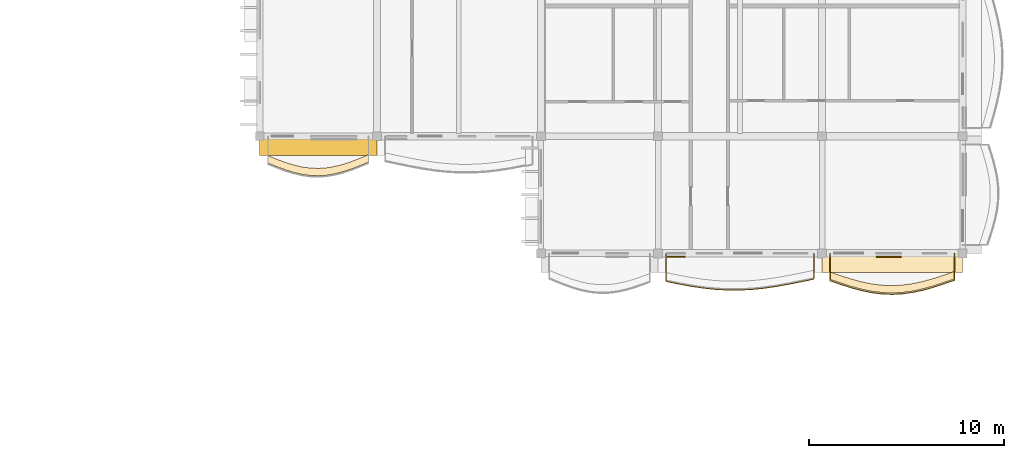
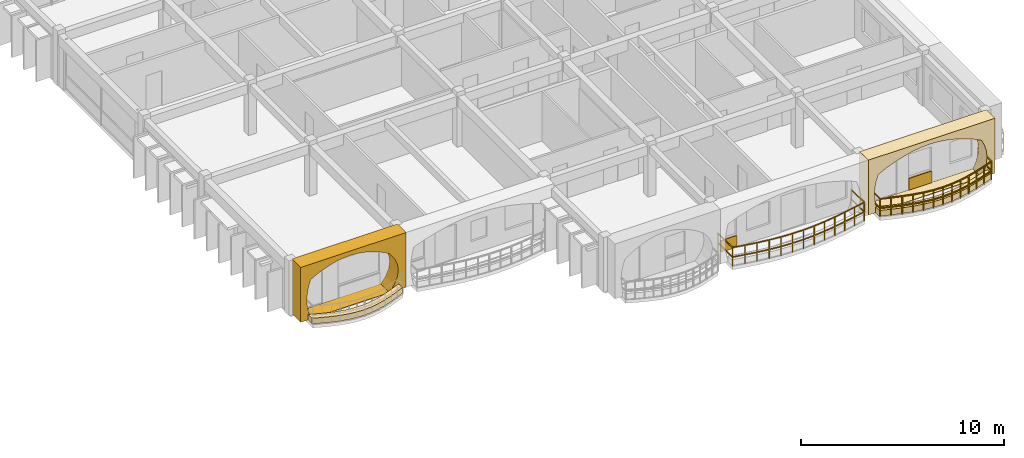
# One storey, part 66 of 76: 6 coverings, 2 railings.
"""IFC4 building model written with IfcOpenShell, lengths in metres."""

from ifc_helpers import new_model, si_unit, direction, frame, origin, origin_2d, place, context, subcontext, project, spatial, polyline, rectangle, outline, extrude, material, layer, layer_set, type_object, element, save


model = new_model("IFC4")

# Units and contexts
model_context = context("Model", 3, precision=1e-05, world=origin(), true_north=direction((0.0, 1.0)))
body_context = subcontext(model_context, "Body", "Model", "MODEL_VIEW")
ifc_project = project(units=[si_unit("LENGTHUNIT", "METRE"), si_unit("AREAUNIT", "SQUARE_METRE"), si_unit("VOLUMEUNIT", "CUBIC_METRE"), si_unit("PLANEANGLEUNIT", "RADIAN"), si_unit("MASSUNIT", "GRAM", prefix="KILO"), si_unit("THERMODYNAMICTEMPERATUREUNIT", "KELVIN")], contexts=[model_context])

# Site, building, storey
site_placement = place(None, origin())
site = spatial("IfcSite", under=ifc_project, at=site_placement, CompositionType="ELEMENT")
building_placement = place(site_placement, origin())
building = spatial("IfcBuilding", under=site, at=building_placement, Name="Thalorik Housing Commons", CompositionType="ELEMENT")
storey_placement = place(building_placement, frame((0.0, 0.0, 18.0)))
storey = spatial("IfcBuildingStorey", under=building, at=storey_placement, Name="L05", CompositionType="ELEMENT", Elevation=18.0)

# Coverings
ifc_material_1 = material(Name="Cobalt blue glazed ceramic facade tile panel", Category="masonry")
ifc_layer_1 = layer(ifc_material_1, 0.06005859375, Name="Cobalt blue glazed ceramic facade tile panel", Category="masonry")
ifc_layer_set_1 = layer_set([ifc_layer_1], Name="Cobalt blue glazed ceramic facade tile panel")
covering_type_1 = type_object("IfcCoveringType", Name="ARC-CLD-BLU-60", PredefinedType="CLADDING", material=ifc_layer_set_1)
covering_1_placement = place(storey_placement, frame((170.215087890625, 37.034912109375, 0.0498046875), z_axis=(0.0, 0.0, 1.0), x_axis=(1.0, 0.0, 0.0)))
element("IfcCovering", 1, at=covering_1_placement, inside=storey, type_object=covering_type_1, Name="L05 De Stijl Recessed Window Spandrel 4892", PredefinedType="CLADDING", context=body_context, shape_type="SweptSolid", body=[
    extrude(rectangle(XDim=1.300048828125, YDim=0.06005859375, at=origin_2d()), origin(), (0.0, 0.0, 1.0), 0.699951171875),
])
ifc_material_2 = material(Name="Precast concrete C40/50", Category="concrete")
ifc_layer_2 = layer(ifc_material_2, 0.85009765625, Name="Precast concrete C40/50", Category="concrete")
ifc_layer_set_2 = layer_set([ifc_layer_2], Name="Precast concrete C40/50")
covering_type_2 = type_object("IfcCoveringType", Name="ARC-CLD-CUSH-850", PredefinedType="CLADDING", material=ifc_layer_set_2)
covering_2_placement = place(storey_placement, frame((141.0, 42.64501953125, 0.0), z_axis=(0.0, 0.0, 1.0), x_axis=(1.0, 0.0, 0.0)))
element("IfcCovering", 2, at=covering_2_placement, inside=storey, type_object=covering_type_2, Name="L05 White Precast Curved Cushion Bay Frame 4876", PredefinedType="CLADDING", context=body_context, shape_type="SweptSolid", body=[
    extrude(outline(polyline([(-3.0, 0.0), (3.0, 0.0), (3.0, 3.300048828125), (-3.0, 3.300048828125), (-3.0, 0.0)]), holes=[polyline([(2.0400390625, 0.02490234375), (2.3232421875, 0.415771484375), (2.493408203125, 0.806640625), (2.550048828125, 1.197509765625), (2.493408203125, 1.58837890625), (2.3232421875, 1.979248046875), (2.0400390625, 2.3701171875), (1.66748046875, 2.573974609375), (1.294921875, 2.734130859375), (0.922607421875, 2.864013671875), (0.550048828125, 2.960205078125), (0.177490234375, 3.02001953125), (-0.195068359375, 3.0400390625), (-0.5673828125, 3.02001953125), (-0.93994140625, 2.960205078125), (-1.3125, 2.864013671875), (-1.68505859375, 2.734130859375), (-2.0576171875, 2.573974609375), (-2.429931640625, 2.3701171875), (-2.55029296875, 1.979248046875), (-2.62255859375, 1.58837890625), (-2.646484375, 1.197509765625), (-2.62255859375, 0.806640625), (-2.55029296875, 0.415771484375), (-2.429931640625, 0.02490234375), (2.0400390625, 0.02490234375)])]), frame((0.0, 0.425048828125, 0.0), z_axis=(0.0, -1.0, 0.0), x_axis=(1.0, 0.0, 0.0)), (0.0, 0.0, 1.0), 0.85009765625),
])
covering_3_placement = place(storey_placement, frame((170.39990234375, 36.64501953125, 0.0), z_axis=(0.0, 0.0, 1.0), x_axis=(1.0, 0.0, 0.0)))
element("IfcCovering", 3, at=covering_3_placement, inside=storey, type_object=covering_type_2, Name="L05 White Precast Curved Cushion Bay Frame 4891", PredefinedType="CLADDING", context=body_context, shape_type="SweptSolid", body=[
    extrude(outline(polyline([(-3.60009765625, 0.0), (3.60009765625, 0.0), (3.60009765625, 3.300048828125), (-3.60009765625, 3.300048828125), (-3.60009765625, 0.0)]), holes=[polyline([(2.840087890625, 0.02490234375), (3.01220703125, 0.394287109375), (3.115478515625, 0.76318359375), (3.14990234375, 1.132568359375), (3.115478515625, 1.501708984375), (3.01220703125, 1.870849609375), (2.840087890625, 2.239990234375), (2.350830078125, 2.4833984375), (1.86181640625, 2.6748046875), (1.37255859375, 2.82958984375), (0.88330078125, 2.94482421875), (0.394287109375, 3.01611328125), (-0.094970703125, 3.0400390625), (-0.584228515625, 3.01611328125), (-1.0732421875, 2.94482421875), (-1.5625, 2.82958984375), (-2.0517578125, 2.6748046875), (-2.540771484375, 2.4833984375), (-3.030029296875, 2.239990234375), (-3.150390625, 1.870849609375), (-3.222412109375, 1.501708984375), (-3.24658203125, 1.132568359375), (-3.222412109375, 0.76318359375), (-3.150390625, 0.394287109375), (-3.030029296875, 0.02490234375), (2.840087890625, 0.02490234375)])]), frame((0.0, 0.425048828125, 0.0), z_axis=(0.0, -1.0, 0.0), x_axis=(1.0, 0.0, 0.0)), (0.0, 0.0, 1.0), 0.85009765625),
])
ifc_material_3 = material(Name="Terracotta red mineral fibre-cement panel", Category="masonry")
ifc_layer_3 = layer(ifc_material_3, 0.054931640625, Name="Terracotta red mineral fibre-cement panel", Category="masonry")
ifc_layer_set_3 = layer_set([ifc_layer_3], Name="Terracotta red mineral fibre-cement panel")
covering_type_3 = type_object("IfcCoveringType", Name="ARC-CLD-RED-55", PredefinedType="CLADDING", material=ifc_layer_set_3)
covering_4_placement = place(storey_placement, frame((159.3349609375, 37.03759765625, 0.0498046875), z_axis=(0.0, 0.0, 1.0), x_axis=(1.0, 0.0, 0.0)))
element("IfcCovering", 4, at=covering_4_placement, inside=storey, type_object=covering_type_3, Name="L05 De Stijl Recessed Window Spandrel 4890", PredefinedType="CLADDING", context=body_context, shape_type="SweptSolid", body=[
    extrude(rectangle(XDim=0.89990234375, YDim=0.054931640625, at=origin_2d()), origin(), (0.0, 0.0, 1.0), 0.699951171875),
])
ifc_material_4 = material(Name="Planted vegetated substrate and terracotta trough", Category="masonry")
ifc_layer_4 = layer(ifc_material_4, 0.340087890625, Name="Planted vegetated substrate and terracotta trough", Category="masonry")
ifc_layer_set_4 = layer_set([ifc_layer_4], Name="Planted vegetated substrate and terracotta trough")
covering_type_4 = type_object("IfcCoveringType", Name="ARC-COV-PLANTER", PredefinedType="USERDEFINED", material=ifc_layer_set_4)
covering_5_placement = place(storey_placement, origin())
element("IfcCovering", 5, at=covering_5_placement, inside=storey, type_object=covering_type_4, Name="L05 Balcony Slab-Edge Planted Trough 5682", ObjectType="PLANTER", PredefinedType="USERDEFINED", context=body_context, shape_type="SweptSolid", body=[
    extrude(outline(polyline([(167.219970703125, 35.8642578125), (167.75, 35.680908203125), (168.280029296875, 35.51171875), (168.81005859375, 35.36767578125), (169.340087890625, 35.258544921875), (169.8701171875, 35.19140625), (170.39990234375, 35.1708984375), (170.929931640625, 35.198486328125), (171.4599609375, 35.272216796875), (171.989990234375, 35.387451171875), (172.52001953125, 35.536376953125), (173.050048828125, 35.709228515625), (173.580078125, 35.894775390625), (173.580078125, 36.27490234375), (173.050048828125, 36.08935546875), (172.52001953125, 35.91650390625), (171.989990234375, 35.767578125), (171.4599609375, 35.65234375), (170.929931640625, 35.57861328125), (170.39990234375, 35.551025390625), (169.8701171875, 35.571533203125), (169.340087890625, 35.638427734375), (168.81005859375, 35.74755859375), (168.280029296875, 35.8916015625), (167.75, 36.060791015625), (167.219970703125, 36.244140625), (167.219970703125, 35.8642578125)])), origin(), (0.0, 0.0, 1.0), 0.340087890625),
])
covering_6_placement = place(storey_placement, origin())
element("IfcCovering", 6, at=covering_6_placement, inside=storey, type_object=covering_type_4, Name="L05 Balcony Slab-Edge Planted Trough 5683", ObjectType="PLANTER", PredefinedType="USERDEFINED", context=body_context, shape_type="SweptSolid", body=[
    extrude(outline(polyline([(138.419921875, 41.82373046875), (138.85009765625, 41.64990234375), (139.280029296875, 41.489990234375), (139.7099609375, 41.3544921875), (140.139892578125, 41.252685546875), (140.570068359375, 41.191162109375), (141.0, 41.174072265625), (141.429931640625, 41.20263671875), (141.860107421875, 41.275390625), (142.2900390625, 41.387451171875), (142.719970703125, 41.531982421875), (143.14990234375, 41.699462890625), (143.580078125, 41.87939453125), (143.580078125, 42.25927734375), (143.14990234375, 42.07958984375), (142.719970703125, 41.911865234375), (142.2900390625, 41.767578125), (141.860107421875, 41.6552734375), (141.429931640625, 41.582763671875), (141.0, 41.55419921875), (140.570068359375, 41.5712890625), (140.139892578125, 41.6328125), (139.7099609375, 41.734619140625), (139.280029296875, 41.869873046875), (138.85009765625, 42.02978515625), (138.419921875, 42.20361328125), (138.419921875, 41.82373046875)])), origin(), (0.0, 0.0, 1.0), 0.340087890625),
])

# Railings
ifc_material_5 = material(Name="Steel S355", Category="steel")
railing_type_1 = type_object("IfcRailingType", Name="ARC-RL-BAL-112", PredefinedType="BALUSTRADE", material=ifc_material_5)
railing_1_placement = place(storey_placement, frame((167.219970703125, 37.199951171875, 0.0)))
element("IfcRailing", 7, at=railing_1_placement, inside=storey, type_object=railing_type_1, Name="L05 Cushion Balcony Guardrail 366", PredefinedType="BALUSTRADE", context=body_context, shape_type="SweptSolid", body=[
    extrude(rectangle(XDim=0.050048828125, YDim=0.050048828125, at=origin_2d()), frame((0.0, 0.0, 1.09521484375), z_axis=(0.0, -1.0, 0.0), x_axis=(1.0, 0.0, 0.0)), (0.0, 0.0, 1.0), 1.40576171875),
    extrude(rectangle(XDim=0.050048828125, YDim=0.050048828125, at=origin_2d()), frame((0.0, 0.0, 0.53515625), z_axis=(0.0, -1.0, 0.0), x_axis=(1.0, 0.0, 0.0)), (0.0, 0.0, 1.0), 1.40576171875),
    extrude(rectangle(XDim=0.050048828125, YDim=0.050048828125, at=origin_2d()), frame((0.0, -1.40576171875, 1.09521484375), z_axis=(0.945053333528, -0.326916192298, 0.0), x_axis=(0.326916192298, 0.945053333528, 0.0)), (0.0, 0.0, 1.0), 0.560791015625),
    extrude(rectangle(XDim=0.050048828125, YDim=0.050048828125, at=origin_2d()), frame((0.0, -1.40576171875, 0.53515625), z_axis=(0.945053333528, -0.326916192298, 0.0), x_axis=(0.326916192298, 0.945053333528, 0.0)), (0.0, 0.0, 1.0), 0.560791015625),
    extrude(rectangle(XDim=0.050048828125, YDim=0.050048828125, at=origin_2d()), frame((0.530029296875, -1.589111328125, 1.09521484375), z_axis=(0.952642984579, -0.304091012581, 0.0), x_axis=(0.304091012581, 0.952642984579, 0.0)), (0.0, 0.0, 1.0), 0.556396484375),
    extrude(rectangle(XDim=0.050048828125, YDim=0.050048828125, at=origin_2d()), frame((0.530029296875, -1.589111328125, 0.53515625), z_axis=(0.952642984579, -0.304091012581, 0.0), x_axis=(0.304091012581, 0.952642984579, 0.0)), (0.0, 0.0, 1.0), 0.556396484375),
    extrude(rectangle(XDim=0.050048828125, YDim=0.050048828125, at=origin_2d()), frame((1.06005859375, -1.75830078125, 1.09521484375), z_axis=(0.964999357854, -0.262252243728, 0.0), x_axis=(0.262252243728, 0.964999357854, 0.0)), (0.0, 0.0, 1.0), 0.54931640625),
    extrude(rectangle(XDim=0.050048828125, YDim=0.050048828125, at=origin_2d()), frame((1.06005859375, -1.75830078125, 0.53515625), z_axis=(0.964999357854, -0.262252243728, 0.0), x_axis=(0.262252243728, 0.964999357854, 0.0)), (0.0, 0.0, 1.0), 0.54931640625),
    extrude(rectangle(XDim=0.050048828125, YDim=0.050048828125, at=origin_2d()), frame((1.590087890625, -1.90234375, 1.09521484375), z_axis=(0.979454422365, -0.201665650298, 0.0), x_axis=(0.201665650298, 0.979454422365, 0.0)), (0.0, 0.0, 1.0), 0.541259765625),
    extrude(rectangle(XDim=0.050048828125, YDim=0.050048828125, at=origin_2d()), frame((1.590087890625, -1.90234375, 0.53515625), z_axis=(0.979454422365, -0.201665650298, 0.0), x_axis=(0.201665650298, 0.979454422365, 0.0)), (0.0, 0.0, 1.0), 0.541259765625),
    extrude(rectangle(XDim=0.050048828125, YDim=0.050048828125, at=origin_2d()), frame((2.1201171875, -2.011474609375, 1.09521484375), z_axis=(0.992129530175, -0.125215795149, 0.0), x_axis=(0.125215795149, 0.992129530175, 0.0)), (0.0, 0.0, 1.0), 0.5341796875),
    extrude(rectangle(XDim=0.050048828125, YDim=0.050048828125, at=origin_2d()), frame((2.1201171875, -2.011474609375, 0.53515625), z_axis=(0.992129530175, -0.125215795149, 0.0), x_axis=(0.125215795149, 0.992129530175, 0.0)), (0.0, 0.0, 1.0), 0.5341796875),
    extrude(rectangle(XDim=0.050048828125, YDim=0.050048828125, at=origin_2d()), frame((2.650146484375, -2.078369140625, 1.09521484375), z_axis=(0.999251621382, -0.038680707924, 0.0), x_axis=(0.038680707924, 0.999251621382, 0.0)), (0.0, 0.0, 1.0), 0.5302734375),
    extrude(rectangle(XDim=0.050048828125, YDim=0.050048828125, at=origin_2d()), frame((2.650146484375, -2.078369140625, 0.53515625), z_axis=(0.999251621382, -0.038680707924, 0.0), x_axis=(0.038680707924, 0.999251621382, 0.0)), (0.0, 0.0, 1.0), 0.5302734375),
    extrude(rectangle(XDim=0.050048828125, YDim=0.050048828125, at=origin_2d()), frame((3.179931640625, -2.098876953125, 1.09521484375), z_axis=(0.9986481581, 0.051979383632, 0.0), x_axis=(-0.051979383632, 0.9986481581, 0.0)), (0.0, 0.0, 1.0), 0.53076171875),
    extrude(rectangle(XDim=0.050048828125, YDim=0.050048828125, at=origin_2d()), frame((3.179931640625, -2.098876953125, 0.53515625), z_axis=(0.9986481581, 0.051979383632, 0.0), x_axis=(-0.051979383632, 0.9986481581, 0.0)), (0.0, 0.0, 1.0), 0.53076171875),
    extrude(rectangle(XDim=0.050048828125, YDim=0.050048828125, at=origin_2d()), frame((3.7099609375, -2.0712890625, 1.09521484375), z_axis=(0.990462894788, 0.137779730182, 0.0), x_axis=(-0.137779730182, 0.990462894788, 0.0)), (0.0, 0.0, 1.0), 0.53515625),
    extrude(rectangle(XDim=0.050048828125, YDim=0.050048828125, at=origin_2d()), frame((3.7099609375, -2.0712890625, 0.53515625), z_axis=(0.990462894788, 0.137779730182, 0.0), x_axis=(-0.137779730182, 0.990462894788, 0.0)), (0.0, 0.0, 1.0), 0.53515625),
    extrude(rectangle(XDim=0.050048828125, YDim=0.050048828125, at=origin_2d()), frame((4.239990234375, -1.99755859375, 1.09521484375), z_axis=(0.977265656479, 0.212018481898, 0.0), x_axis=(-0.212018481898, 0.977265656479, 0.0)), (0.0, 0.0, 1.0), 0.54248046875),
    extrude(rectangle(XDim=0.050048828125, YDim=0.050048828125, at=origin_2d()), frame((4.239990234375, -1.99755859375, 0.53515625), z_axis=(0.977265656479, 0.212018481898, 0.0), x_axis=(-0.212018481898, 0.977265656479, 0.0)), (0.0, 0.0, 1.0), 0.54248046875),
    extrude(rectangle(XDim=0.050048828125, YDim=0.050048828125, at=origin_2d()), frame((4.77001953125, -1.882568359375, 1.09521484375), z_axis=(0.962719532879, 0.270501573034, 0.0), x_axis=(-0.270501573034, 0.962719532879, 0.0)), (0.0, 0.0, 1.0), 0.550537109375),
    extrude(rectangle(XDim=0.050048828125, YDim=0.050048828125, at=origin_2d()), frame((4.77001953125, -1.882568359375, 0.53515625), z_axis=(0.962719532879, 0.270501573034, 0.0), x_axis=(-0.270501573034, 0.962719532879, 0.0)), (0.0, 0.0, 1.0), 0.550537109375),
    extrude(rectangle(XDim=0.050048828125, YDim=0.050048828125, at=origin_2d()), frame((5.300048828125, -1.733642578125, 1.09521484375), z_axis=(0.950592272068, 0.310442156101, 0.0), x_axis=(-0.310442156101, 0.950592272068, 0.0)), (0.0, 0.0, 1.0), 0.5576171875),
    extrude(rectangle(XDim=0.050048828125, YDim=0.050048828125, at=origin_2d()), frame((5.300048828125, -1.733642578125, 0.53515625), z_axis=(0.950592272068, 0.310442156101, 0.0), x_axis=(-0.310442156101, 0.950592272068, 0.0)), (0.0, 0.0, 1.0), 0.5576171875),
    extrude(rectangle(XDim=0.050048828125, YDim=0.050048828125, at=origin_2d()), frame((5.830078125, -1.560546875, 1.09521484375), z_axis=(0.943973538239, 0.330021149481, 0.0), x_axis=(-0.330021149481, 0.943973538239, 0.0)), (0.0, 0.0, 1.0), 0.5615234375),
    extrude(rectangle(XDim=0.050048828125, YDim=0.050048828125, at=origin_2d()), frame((5.830078125, -1.560546875, 0.53515625), z_axis=(0.943973538239, 0.330021149481, 0.0), x_axis=(-0.330021149481, 0.943973538239, 0.0)), (0.0, 0.0, 1.0), 0.5615234375),
    extrude(rectangle(XDim=0.050048828125, YDim=0.050048828125, at=origin_2d()), frame((6.360107421875, -1.375244140625, 1.09521484375), z_axis=(0.0, 1.0, 0.0), x_axis=(-1.0, 0.0, 0.0)), (0.0, 0.0, 1.0), 1.375244140625),
    extrude(rectangle(XDim=0.050048828125, YDim=0.050048828125, at=origin_2d()), frame((6.360107421875, -1.375244140625, 0.53515625), z_axis=(0.0, 1.0, 0.0), x_axis=(-1.0, 0.0, 0.0)), (0.0, 0.0, 1.0), 1.375244140625),
    extrude(rectangle(XDim=0.0419921875, YDim=0.0419921875, at=origin_2d()), origin(), (0.0, 0.0, 1.0), 1.070068359375),
    extrude(rectangle(XDim=0.0419921875, YDim=0.0419921875, at=origin_2d()), frame((0.0, -1.40576171875, 0.0)), (0.0, 0.0, 1.0), 1.070068359375),
    extrude(rectangle(XDim=0.0419921875, YDim=0.0419921875, at=origin_2d()), frame((0.530029296875, -1.589111328125, 0.0)), (0.0, 0.0, 1.0), 1.070068359375),
    extrude(rectangle(XDim=0.0419921875, YDim=0.0419921875, at=origin_2d()), frame((1.06005859375, -1.75830078125, 0.0)), (0.0, 0.0, 1.0), 1.070068359375),
    extrude(rectangle(XDim=0.0419921875, YDim=0.0419921875, at=origin_2d()), frame((1.590087890625, -1.90234375, 0.0)), (0.0, 0.0, 1.0), 1.070068359375),
    extrude(rectangle(XDim=0.0419921875, YDim=0.0419921875, at=origin_2d()), frame((2.1201171875, -2.011474609375, 0.0)), (0.0, 0.0, 1.0), 1.070068359375),
    extrude(rectangle(XDim=0.0419921875, YDim=0.0419921875, at=origin_2d()), frame((2.650146484375, -2.078369140625, 0.0)), (0.0, 0.0, 1.0), 1.070068359375),
    extrude(rectangle(XDim=0.0419921875, YDim=0.0419921875, at=origin_2d()), frame((3.179931640625, -2.098876953125, 0.0)), (0.0, 0.0, 1.0), 1.070068359375),
    extrude(rectangle(XDim=0.0419921875, YDim=0.0419921875, at=origin_2d()), frame((3.7099609375, -2.0712890625, 0.0)), (0.0, 0.0, 1.0), 1.070068359375),
    extrude(rectangle(XDim=0.0419921875, YDim=0.0419921875, at=origin_2d()), frame((4.239990234375, -1.99755859375, 0.0)), (0.0, 0.0, 1.0), 1.070068359375),
    extrude(rectangle(XDim=0.0419921875, YDim=0.0419921875, at=origin_2d()), frame((4.77001953125, -1.882568359375, 0.0)), (0.0, 0.0, 1.0), 1.070068359375),
    extrude(rectangle(XDim=0.0419921875, YDim=0.0419921875, at=origin_2d()), frame((5.300048828125, -1.733642578125, 0.0)), (0.0, 0.0, 1.0), 1.070068359375),
    extrude(rectangle(XDim=0.0419921875, YDim=0.0419921875, at=origin_2d()), frame((5.830078125, -1.560546875, 0.0)), (0.0, 0.0, 1.0), 1.070068359375),
    extrude(rectangle(XDim=0.0419921875, YDim=0.0419921875, at=origin_2d()), frame((6.360107421875, -1.375244140625, 0.0)), (0.0, 0.0, 1.0), 1.070068359375),
    extrude(rectangle(XDim=0.0419921875, YDim=0.0419921875, at=origin_2d()), frame((6.360107421875, 0.0, 0.0)), (0.0, 0.0, 1.0), 1.070068359375),
])
railing_type_2 = type_object("IfcRailingType", Name="ARC-RL-BAL-115", PredefinedType="BALUSTRADE", material=ifc_material_5)
railing_2_placement = place(storey_placement, frame((158.820068359375, 37.199951171875, 0.0)))
element("IfcRailing", 8, at=railing_2_placement, inside=storey, type_object=railing_type_2, Name="L05 Cushion Balcony Guardrail 365", PredefinedType="BALUSTRADE", context=body_context, shape_type="SweptSolid", body=[
    extrude(rectangle(XDim=0.050048828125, YDim=0.050048828125, at=origin_2d()), frame((0.0, 0.0, 1.125), z_axis=(0.0, -1.0, 0.0), x_axis=(1.0, 0.0, 0.0)), (0.0, 0.0, 1.0), 1.436279296875),
    extrude(rectangle(XDim=0.050048828125, YDim=0.050048828125, at=origin_2d()), frame((0.0, 0.0, 0.5498046875), z_axis=(0.0, -1.0, 0.0), x_axis=(1.0, 0.0, 0.0)), (0.0, 0.0, 1.0), 1.436279296875),
    extrude(rectangle(XDim=0.050048828125, YDim=0.050048828125, at=origin_2d()), frame((0.0, -1.436279296875, 1.125), z_axis=(0.979619945128, -0.200860058517, 0.0), x_axis=(0.200860058517, 0.979619945128, 0.0)), (0.0, 0.0, 1.0), 0.64306640625),
    extrude(rectangle(XDim=0.050048828125, YDim=0.050048828125, at=origin_2d()), frame((0.0, -1.436279296875, 0.5498046875), z_axis=(0.979619945128, -0.200860058517, 0.0), x_axis=(0.200860058517, 0.979619945128, 0.0)), (0.0, 0.0, 1.0), 0.64306640625),
    extrude(rectangle(XDim=0.050048828125, YDim=0.050048828125, at=origin_2d()), frame((0.6298828125, -1.5654296875, 1.125), z_axis=(0.983551311417, -0.180628950644, 0.0), x_axis=(0.180628950644, 0.983551311417, 0.0)), (0.0, 0.0, 1.0), 0.640625),
    extrude(rectangle(XDim=0.050048828125, YDim=0.050048828125, at=origin_2d()), frame((0.6298828125, -1.5654296875, 0.5498046875), z_axis=(0.983551311417, -0.180628950644, 0.0), x_axis=(0.180628950644, 0.983551311417, 0.0)), (0.0, 0.0, 1.0), 0.640625),
    extrude(rectangle(XDim=0.050048828125, YDim=0.050048828125, at=origin_2d()), frame((1.260009765625, -1.68115234375, 1.125), z_axis=(0.988992516102, -0.147965546983, 0.0), x_axis=(0.147965546983, 0.988992516102, 0.0)), (0.0, 0.0, 1.0), 0.636962890625),
    extrude(rectangle(XDim=0.050048828125, YDim=0.050048828125, at=origin_2d()), frame((1.260009765625, -1.68115234375, 0.5498046875), z_axis=(0.988992516102, -0.147965546983, 0.0), x_axis=(0.147965546983, 0.988992516102, 0.0)), (0.0, 0.0, 1.0), 0.636962890625),
    extrude(rectangle(XDim=0.050048828125, YDim=0.050048828125, at=origin_2d()), frame((1.889892578125, -1.775390625, 1.125), z_axis=(0.994452546055, -0.105186185615, 0.0), x_axis=(0.105186185615, 0.994452546055, 0.0)), (0.0, 0.0, 1.0), 0.633544921875),
    extrude(rectangle(XDim=0.050048828125, YDim=0.050048828125, at=origin_2d()), frame((1.889892578125, -1.775390625, 0.5498046875), z_axis=(0.994452546055, -0.105186185615, 0.0), x_axis=(0.105186185615, 0.994452546055, 0.0)), (0.0, 0.0, 1.0), 0.633544921875),
    extrude(rectangle(XDim=0.050048828125, YDim=0.050048828125, at=origin_2d()), frame((2.52001953125, -1.842041015625, 1.125), z_axis=(0.998467489592, -0.055341415121, 0.0), x_axis=(0.055341415121, 0.998467489592, 0.0)), (0.0, 0.0, 1.0), 0.630859375),
    extrude(rectangle(XDim=0.050048828125, YDim=0.050048828125, at=origin_2d()), frame((2.52001953125, -1.842041015625, 0.5498046875), z_axis=(0.998467489592, -0.055341415121, 0.0), x_axis=(0.055341415121, 0.998467489592, 0.0)), (0.0, 0.0, 1.0), 0.630859375),
    extrude(rectangle(XDim=0.050048828125, YDim=0.050048828125, at=origin_2d()), frame((3.14990234375, -1.876953125, 1.125), z_axis=(0.999998799082, -0.001549785043, 0.0), x_axis=(0.001549785043, 0.999998799082, 0.0)), (0.0, 0.0, 1.0), 0.630126953125),
    extrude(rectangle(XDim=0.050048828125, YDim=0.050048828125, at=origin_2d()), frame((3.14990234375, -1.876953125, 0.5498046875), z_axis=(0.999998799082, -0.001549785043, 0.0), x_axis=(0.001549785043, 0.999998799082, 0.0)), (0.0, 0.0, 1.0), 0.630126953125),
    extrude(rectangle(XDim=0.050048828125, YDim=0.050048828125, at=origin_2d()), frame((3.780029296875, -1.8779296875, 1.125), z_axis=(0.998613549126, 0.052640094062, 0.0), x_axis=(-0.052640094062, 0.998613549126, 0.0)), (0.0, 0.0, 1.0), 0.630859375),
    extrude(rectangle(XDim=0.050048828125, YDim=0.050048828125, at=origin_2d()), frame((3.780029296875, -1.8779296875, 0.5498046875), z_axis=(0.998613549126, 0.052640094062, 0.0), x_axis=(-0.052640094062, 0.998613549126, 0.0)), (0.0, 0.0, 1.0), 0.630859375),
    extrude(rectangle(XDim=0.050048828125, YDim=0.050048828125, at=origin_2d()), frame((4.409912109375, -1.8447265625, 1.125), z_axis=(0.994770399285, 0.102136441616, 0.0), x_axis=(-0.102136441616, 0.994770399285, 0.0)), (0.0, 0.0, 1.0), 0.633544921875),
    extrude(rectangle(XDim=0.050048828125, YDim=0.050048828125, at=origin_2d()), frame((4.409912109375, -1.8447265625, 0.5498046875), z_axis=(0.994770399285, 0.102136441616, 0.0), x_axis=(-0.102136441616, 0.994770399285, 0.0)), (0.0, 0.0, 1.0), 0.633544921875),
    extrude(rectangle(XDim=0.050048828125, YDim=0.050048828125, at=origin_2d()), frame((5.0400390625, -1.780029296875, 1.125), z_axis=(0.989491866588, 0.144588540195, 0.0), x_axis=(-0.144588540195, 0.989491866588, 0.0)), (0.0, 0.0, 1.0), 0.636474609375),
    extrude(rectangle(XDim=0.050048828125, YDim=0.050048828125, at=origin_2d()), frame((5.0400390625, -1.780029296875, 0.5498046875), z_axis=(0.989491866588, 0.144588540195, 0.0), x_axis=(-0.144588540195, 0.989491866588, 0.0)), (0.0, 0.0, 1.0), 0.636474609375),
    extrude(rectangle(XDim=0.050048828125, YDim=0.050048828125, at=origin_2d()), frame((5.669921875, -1.68798828125, 1.125), z_axis=(0.98435441919, 0.17619982242, 0.0), x_axis=(-0.17619982242, 0.98435441919, 0.0)), (0.0, 0.0, 1.0), 0.64013671875),
    extrude(rectangle(XDim=0.050048828125, YDim=0.050048828125, at=origin_2d()), frame((5.669921875, -1.68798828125, 0.5498046875), z_axis=(0.98435441919, 0.17619982242, 0.0), x_axis=(-0.17619982242, 0.98435441919, 0.0)), (0.0, 0.0, 1.0), 0.64013671875),
    extrude(rectangle(XDim=0.050048828125, YDim=0.050048828125, at=origin_2d()), frame((6.300048828125, -1.5751953125, 1.125), z_axis=(0.980434244421, 0.19684687543, 0.0), x_axis=(-0.19684687543, 0.980434244421, 0.0)), (0.0, 0.0, 1.0), 0.642333984375),
    extrude(rectangle(XDim=0.050048828125, YDim=0.050048828125, at=origin_2d()), frame((6.300048828125, -1.5751953125, 0.5498046875), z_axis=(0.980434244421, 0.19684687543, 0.0), x_axis=(-0.19684687543, 0.980434244421, 0.0)), (0.0, 0.0, 1.0), 0.642333984375),
    extrude(rectangle(XDim=0.050048828125, YDim=0.050048828125, at=origin_2d()), frame((6.929931640625, -1.44873046875, 1.125), z_axis=(0.979093926423, 0.203408660683, 0.0), x_axis=(-0.203408660683, 0.979093926423, 0.0)), (0.0, 0.0, 1.0), 0.643310546875),
    extrude(rectangle(XDim=0.050048828125, YDim=0.050048828125, at=origin_2d()), frame((6.929931640625, -1.44873046875, 0.5498046875), z_axis=(0.979093926423, 0.203408660683, 0.0), x_axis=(-0.203408660683, 0.979093926423, 0.0)), (0.0, 0.0, 1.0), 0.643310546875),
    extrude(rectangle(XDim=0.050048828125, YDim=0.050048828125, at=origin_2d()), frame((7.559814453125, -1.31787109375, 1.125), z_axis=(0.0, 1.0, 0.0), x_axis=(-1.0, 0.0, 0.0)), (0.0, 0.0, 1.0), 1.31787109375),
    extrude(rectangle(XDim=0.050048828125, YDim=0.050048828125, at=origin_2d()), frame((7.559814453125, -1.31787109375, 0.5498046875), z_axis=(0.0, 1.0, 0.0), x_axis=(-1.0, 0.0, 0.0)), (0.0, 0.0, 1.0), 1.31787109375),
    extrude(rectangle(XDim=0.0419921875, YDim=0.0419921875, at=origin_2d()), origin(), (0.0, 0.0, 1.0), 1.099853515625),
    extrude(rectangle(XDim=0.0419921875, YDim=0.0419921875, at=origin_2d()), frame((0.0, -1.436279296875, 0.0)), (0.0, 0.0, 1.0), 1.099853515625),
    extrude(rectangle(XDim=0.0419921875, YDim=0.0419921875, at=origin_2d()), frame((0.6298828125, -1.5654296875, 0.0)), (0.0, 0.0, 1.0), 1.099853515625),
    extrude(rectangle(XDim=0.0419921875, YDim=0.0419921875, at=origin_2d()), frame((1.260009765625, -1.68115234375, 0.0)), (0.0, 0.0, 1.0), 1.099853515625),
    extrude(rectangle(XDim=0.0419921875, YDim=0.0419921875, at=origin_2d()), frame((1.889892578125, -1.775390625, 0.0)), (0.0, 0.0, 1.0), 1.099853515625),
    extrude(rectangle(XDim=0.0419921875, YDim=0.0419921875, at=origin_2d()), frame((2.52001953125, -1.842041015625, 0.0)), (0.0, 0.0, 1.0), 1.099853515625),
    extrude(rectangle(XDim=0.0419921875, YDim=0.0419921875, at=origin_2d()), frame((3.14990234375, -1.876953125, 0.0)), (0.0, 0.0, 1.0), 1.099853515625),
    extrude(rectangle(XDim=0.0419921875, YDim=0.0419921875, at=origin_2d()), frame((3.780029296875, -1.8779296875, 0.0)), (0.0, 0.0, 1.0), 1.099853515625),
    extrude(rectangle(XDim=0.0419921875, YDim=0.0419921875, at=origin_2d()), frame((4.409912109375, -1.8447265625, 0.0)), (0.0, 0.0, 1.0), 1.099853515625),
    extrude(rectangle(XDim=0.0419921875, YDim=0.0419921875, at=origin_2d()), frame((5.0400390625, -1.780029296875, 0.0)), (0.0, 0.0, 1.0), 1.099853515625),
    extrude(rectangle(XDim=0.0419921875, YDim=0.0419921875, at=origin_2d()), frame((5.669921875, -1.68798828125, 0.0)), (0.0, 0.0, 1.0), 1.099853515625),
    extrude(rectangle(XDim=0.0419921875, YDim=0.0419921875, at=origin_2d()), frame((6.300048828125, -1.5751953125, 0.0)), (0.0, 0.0, 1.0), 1.099853515625),
    extrude(rectangle(XDim=0.0419921875, YDim=0.0419921875, at=origin_2d()), frame((6.929931640625, -1.44873046875, 0.0)), (0.0, 0.0, 1.0), 1.099853515625),
    extrude(rectangle(XDim=0.0419921875, YDim=0.0419921875, at=origin_2d()), frame((7.559814453125, -1.31787109375, 0.0)), (0.0, 0.0, 1.0), 1.099853515625),
    extrude(rectangle(XDim=0.0419921875, YDim=0.0419921875, at=origin_2d()), frame((7.559814453125, 0.0, 0.0)), (0.0, 0.0, 1.0), 1.099853515625),
])

save(model, "model.ifc")
